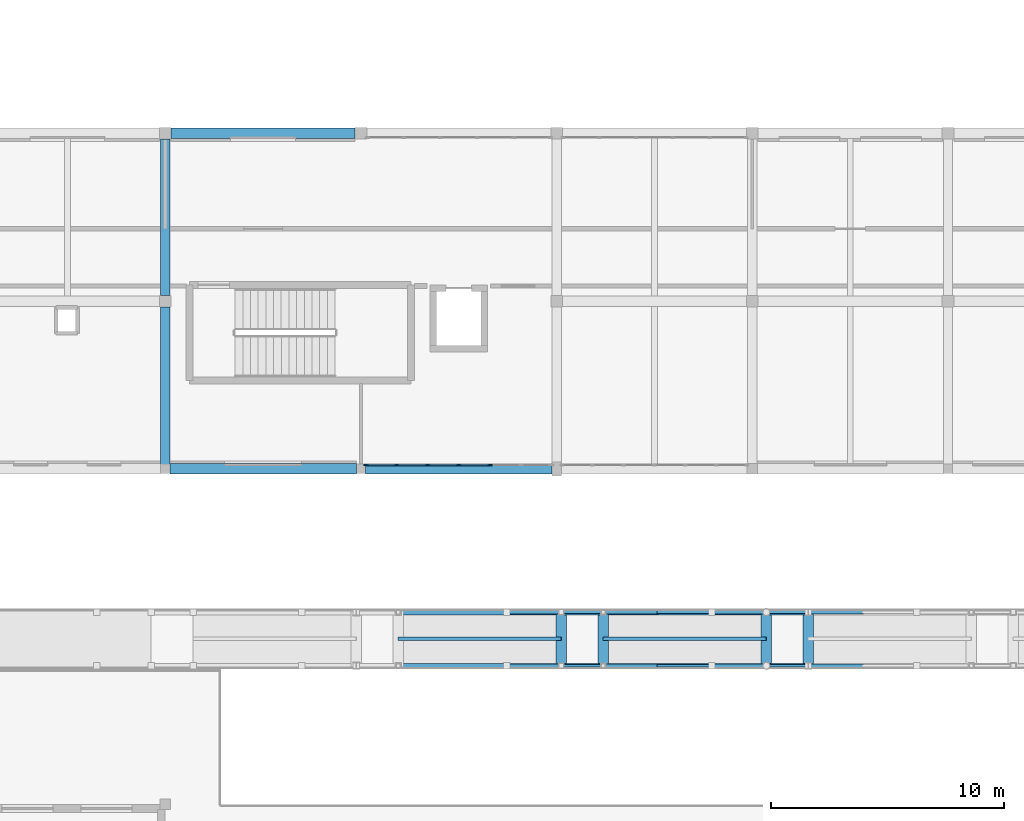
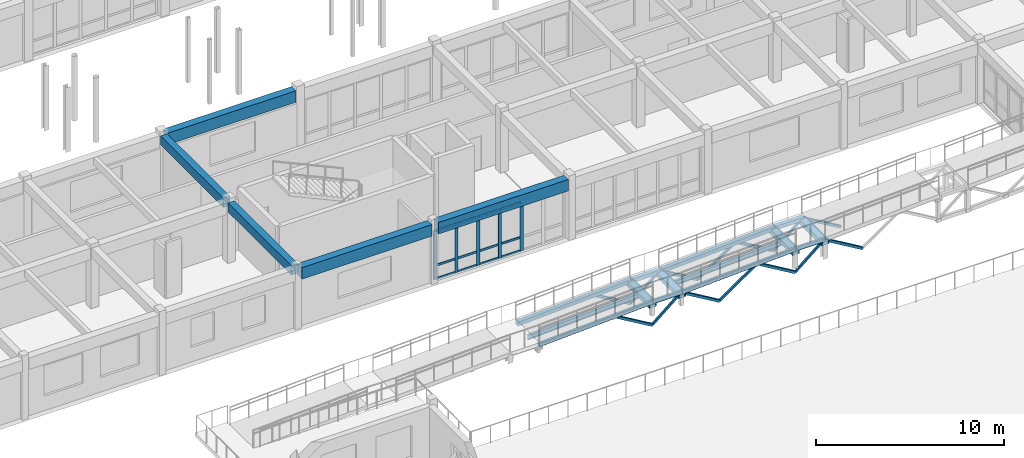
# One storey, part 29 of 90: 39 members, 11 beams, 1 element without a shape of its own.
"""IFC4 building model written with IfcOpenShell, lengths in metres."""

from ifc_helpers import new_model, si_unit, direction, frame, origin, origin_2d, place, context, subcontext, project, spatial, rectangle, hollow_rectangle, i_section, extrude, material, material_profile, profile_set, type_object, element, aggregate, save


model = new_model("IFC4")

# Units and contexts
model_context = context("Model", 3, precision=1e-05, world=origin(), true_north=direction((0.0, 1.0)))
body_context = subcontext(model_context, "Body", "Model", "MODEL_VIEW")
ifc_project = project(units=[si_unit("LENGTHUNIT", "METRE"), si_unit("AREAUNIT", "SQUARE_METRE"), si_unit("VOLUMEUNIT", "CUBIC_METRE"), si_unit("PLANEANGLEUNIT", "RADIAN"), si_unit("MASSUNIT", "GRAM", prefix="KILO")], contexts=[model_context])

# Site, building, storey
site_placement = place(None, origin())
site = spatial("IfcSite", under=ifc_project, at=site_placement, CompositionType="ELEMENT")
building_placement = place(site_placement, origin())
building = spatial("IfcBuilding", under=site, at=building_placement, Name="Malvenik Polytechnic", CompositionType="ELEMENT")
storey_placement = place(building_placement, frame((0.0, 0.0, 9.300048828125)))
storey = spatial("IfcBuildingStorey", under=building, at=storey_placement, Name="L02", CompositionType="ELEMENT", Elevation=9.300048828125)

# Curtain wall, members
ifc_material_1 = material(Name="Anodised aluminium 6060-T6", Category="aluminium")
curtain_wall_type = type_object("IfcCurtainWallType", Name="ARC-CW-CW-03", PredefinedType="NOTDEFINED", material=ifc_material_1)
curtain_wall_placement = place(storey_placement, origin())
curtain_wall = element("IfcCurtainWall", 1, at=curtain_wall_placement, inside=storey, type_object=curtain_wall_type, Name="Unitised Curtain Wall CW-03 L02 #138", PredefinedType="NOTDEFINED")
ifc_material_2 = material(Name="Anodised aluminium", Category="aluminium")
ifc_material_profile_1 = material_profile(ifc_material_2, rectangle(XDim=0.06005859375, YDim=0.199951171875, at=origin_2d()), Name="ALU MULLION 60x200")
ifc_profile_set_1 = profile_set([ifc_material_profile_1], Name="Anodised aluminium")
member_type_1 = type_object("IfcMemberType", Name="ARC-CWM-200", PredefinedType="MULLION", material=ifc_profile_set_1)
member_1_placement = place(storey_placement, frame((47.533935546875, 50.570068359375, 0.0), z_axis=(0.0, 0.0, 1.0), x_axis=(0.0, -1.0, 0.0)))
member_1 = element("IfcMember", 2, at=member_1_placement, type_object=member_type_1, Name="CW-03 mullion 3", PredefinedType="MULLION", context=body_context, shape_type="SweptSolid", body=[
    extrude(rectangle(XDim=0.06005859375, YDim=0.199951171875, at=origin_2d()), origin(), (0.0, 0.0, 1.0), 3.179931640625),
])
member_2_placement = place(storey_placement, frame((46.199951171875, 50.570068359375, 0.0), z_axis=(0.0, 0.0, 1.0), x_axis=(0.0, -1.0, 0.0)))
member_2 = element("IfcMember", 3, at=member_2_placement, type_object=member_type_1, Name="CW-03 mullion 4", PredefinedType="MULLION", context=body_context, shape_type="SweptSolid", body=[
    extrude(rectangle(XDim=0.06005859375, YDim=0.199951171875, at=origin_2d()), origin(), (0.0, 0.0, 1.0), 3.179931640625),
])
member_3_placement = place(storey_placement, frame((44.865966796875, 50.570068359375, 0.0), z_axis=(0.0, 0.0, 1.0), x_axis=(0.0, -1.0, 0.0)))
member_3 = element("IfcMember", 4, at=member_3_placement, type_object=member_type_1, Name="CW-03 mullion 5", PredefinedType="MULLION", context=body_context, shape_type="SweptSolid", body=[
    extrude(rectangle(XDim=0.06005859375, YDim=0.199951171875, at=origin_2d()), origin(), (0.0, 0.0, 1.0), 3.179931640625),
])
member_4_placement = place(storey_placement, frame((43.531982421875, 50.570068359375, 0.0), z_axis=(0.0, 0.0, 1.0), x_axis=(0.0, -1.0, 0.0)))
member_4 = element("IfcMember", 5, at=member_4_placement, type_object=member_type_1, Name="CW-03 mullion 6", PredefinedType="MULLION", context=body_context, shape_type="SweptSolid", body=[
    extrude(rectangle(XDim=0.06005859375, YDim=0.199951171875, at=origin_2d()), origin(), (0.0, 0.0, 1.0), 3.179931640625),
])
member_5_placement = place(storey_placement, frame((42.22802734375, 50.570068359375, 0.0), z_axis=(0.0, 0.0, 1.0), x_axis=(0.0, -1.0, 0.0)))
member_5 = element("IfcMember", 6, at=member_5_placement, type_object=member_type_1, Name="CW-03 mullion 7", PredefinedType="MULLION", context=body_context, shape_type="SweptSolid", body=[
    extrude(rectangle(XDim=0.06005859375, YDim=0.199951171875, at=origin_2d()), origin(), (0.0, 0.0, 1.0), 3.179931640625),
])
ifc_material_profile_2 = material_profile(ifc_material_2, rectangle(XDim=0.06005859375, YDim=0.139892578125, at=origin_2d()), Name="ALU TRANSOM 60x140")
ifc_profile_set_2 = profile_set([ifc_material_profile_2], Name="Anodised aluminium")
member_type_2 = type_object("IfcMemberType", Name="ARC-CWT-140", PredefinedType="USERDEFINED", material=ifc_profile_set_2)
member_6_placement = place(storey_placement, frame((47.50390625, 50.570068359375, 0.030029296875), z_axis=(-1.0, 0.0, 0.0), x_axis=(0.0, -1.0, 0.0)))
member_6 = element("IfcMember", 7, at=member_6_placement, type_object=member_type_2, Name="CW-03 transom 3.1", ObjectType="TRANSOM", PredefinedType="USERDEFINED", context=body_context, shape_type="SweptSolid", body=[
    extrude(rectangle(XDim=0.06005859375, YDim=0.139892578125, at=origin_2d()), origin(), (0.0, 0.0, 1.0), 1.27392578125),
])
member_7_placement = place(storey_placement, frame((47.50390625, 50.570068359375, 0.89990234375), z_axis=(-1.0, 0.0, 0.0), x_axis=(0.0, -1.0, 0.0)))
member_7 = element("IfcMember", 8, at=member_7_placement, type_object=member_type_2, Name="CW-03 transom 3.2", ObjectType="TRANSOM", PredefinedType="USERDEFINED", context=body_context, shape_type="SweptSolid", body=[
    extrude(rectangle(XDim=0.06005859375, YDim=0.139892578125, at=origin_2d()), origin(), (0.0, 0.0, 1.0), 1.27392578125),
])
member_8_placement = place(storey_placement, frame((47.50390625, 50.570068359375, 3.14990234375), z_axis=(-1.0, 0.0, 0.0), x_axis=(0.0, -1.0, 0.0)))
member_8 = element("IfcMember", 9, at=member_8_placement, type_object=member_type_2, Name="CW-03 transom 3.3", ObjectType="TRANSOM", PredefinedType="USERDEFINED", context=body_context, shape_type="SweptSolid", body=[
    extrude(rectangle(XDim=0.06005859375, YDim=0.139892578125, at=origin_2d()), origin(), (0.0, 0.0, 1.0), 1.27392578125),
])
member_9_placement = place(storey_placement, frame((46.169921875, 50.570068359375, 0.030029296875), z_axis=(-1.0, 0.0, 0.0), x_axis=(0.0, -1.0, 0.0)))
member_9 = element("IfcMember", 10, at=member_9_placement, type_object=member_type_2, Name="CW-03 transom 4.1", ObjectType="TRANSOM", PredefinedType="USERDEFINED", context=body_context, shape_type="SweptSolid", body=[
    extrude(rectangle(XDim=0.06005859375, YDim=0.139892578125, at=origin_2d()), origin(), (0.0, 0.0, 1.0), 1.27392578125),
])
member_10_placement = place(storey_placement, frame((46.169921875, 50.570068359375, 0.89990234375), z_axis=(-1.0, 0.0, 0.0), x_axis=(0.0, -1.0, 0.0)))
member_10 = element("IfcMember", 11, at=member_10_placement, type_object=member_type_2, Name="CW-03 transom 4.2", ObjectType="TRANSOM", PredefinedType="USERDEFINED", context=body_context, shape_type="SweptSolid", body=[
    extrude(rectangle(XDim=0.06005859375, YDim=0.139892578125, at=origin_2d()), origin(), (0.0, 0.0, 1.0), 1.27392578125),
])
member_11_placement = place(storey_placement, frame((46.169921875, 50.570068359375, 3.14990234375), z_axis=(-1.0, 0.0, 0.0), x_axis=(0.0, -1.0, 0.0)))
member_11 = element("IfcMember", 12, at=member_11_placement, type_object=member_type_2, Name="CW-03 transom 4.3", ObjectType="TRANSOM", PredefinedType="USERDEFINED", context=body_context, shape_type="SweptSolid", body=[
    extrude(rectangle(XDim=0.06005859375, YDim=0.139892578125, at=origin_2d()), origin(), (0.0, 0.0, 1.0), 1.27392578125),
])
member_12_placement = place(storey_placement, frame((44.8359375, 50.570068359375, 0.030029296875), z_axis=(-1.0, 0.0, 0.0), x_axis=(0.0, -1.0, 0.0)))
member_12 = element("IfcMember", 13, at=member_12_placement, type_object=member_type_2, Name="CW-03 transom 5.1", ObjectType="TRANSOM", PredefinedType="USERDEFINED", context=body_context, shape_type="SweptSolid", body=[
    extrude(rectangle(XDim=0.06005859375, YDim=0.139892578125, at=origin_2d()), origin(), (0.0, 0.0, 1.0), 1.27392578125),
])
member_13_placement = place(storey_placement, frame((44.8359375, 50.570068359375, 0.89990234375), z_axis=(-1.0, 0.0, 0.0), x_axis=(0.0, -1.0, 0.0)))
member_13 = element("IfcMember", 14, at=member_13_placement, type_object=member_type_2, Name="CW-03 transom 5.2", ObjectType="TRANSOM", PredefinedType="USERDEFINED", context=body_context, shape_type="SweptSolid", body=[
    extrude(rectangle(XDim=0.06005859375, YDim=0.139892578125, at=origin_2d()), origin(), (0.0, 0.0, 1.0), 1.27392578125),
])
member_14_placement = place(storey_placement, frame((44.8359375, 50.570068359375, 3.14990234375), z_axis=(-1.0, 0.0, 0.0), x_axis=(0.0, -1.0, 0.0)))
member_14 = element("IfcMember", 15, at=member_14_placement, type_object=member_type_2, Name="CW-03 transom 5.3", ObjectType="TRANSOM", PredefinedType="USERDEFINED", context=body_context, shape_type="SweptSolid", body=[
    extrude(rectangle(XDim=0.06005859375, YDim=0.139892578125, at=origin_2d()), origin(), (0.0, 0.0, 1.0), 1.27392578125),
])
member_15_placement = place(storey_placement, frame((43.501953125, 50.570068359375, 0.030029296875), z_axis=(-1.0, 0.0, 0.0), x_axis=(0.0, -1.0, 0.0)))
member_15 = element("IfcMember", 16, at=member_15_placement, type_object=member_type_2, Name="CW-03 transom 6.1", ObjectType="TRANSOM", PredefinedType="USERDEFINED", context=body_context, shape_type="SweptSolid", body=[
    extrude(rectangle(XDim=0.06005859375, YDim=0.139892578125, at=origin_2d()), origin(), (0.0, 0.0, 1.0), 1.243896484375),
])
member_16_placement = place(storey_placement, frame((43.501953125, 50.570068359375, 0.89990234375), z_axis=(-1.0, 0.0, 0.0), x_axis=(0.0, -1.0, 0.0)))
member_16 = element("IfcMember", 17, at=member_16_placement, type_object=member_type_2, Name="CW-03 transom 6.2", ObjectType="TRANSOM", PredefinedType="USERDEFINED", context=body_context, shape_type="SweptSolid", body=[
    extrude(rectangle(XDim=0.06005859375, YDim=0.139892578125, at=origin_2d()), origin(), (0.0, 0.0, 1.0), 1.243896484375),
])
member_17_placement = place(storey_placement, frame((43.501953125, 50.570068359375, 3.14990234375), z_axis=(-1.0, 0.0, 0.0), x_axis=(0.0, -1.0, 0.0)))
member_17 = element("IfcMember", 18, at=member_17_placement, type_object=member_type_2, Name="CW-03 transom 6.3", ObjectType="TRANSOM", PredefinedType="USERDEFINED", context=body_context, shape_type="SweptSolid", body=[
    extrude(rectangle(XDim=0.06005859375, YDim=0.139892578125, at=origin_2d()), origin(), (0.0, 0.0, 1.0), 1.243896484375),
])
aggregate(curtain_wall, [member_1, member_2, member_3, member_4, member_5, member_6, member_7, member_8, member_9, member_10, member_11, member_12, member_13, member_14, member_15, member_16, member_17])

# Beams
ifc_material_3 = material(Name="Concrete C35/45", Category="concrete")
ifc_material_profile_3 = material_profile(ifc_material_3, rectangle(XDim=0.39990234375, YDim=0.60009765625, at=origin_2d()), Name="RC BM 400x600")
ifc_profile_set_3 = profile_set([ifc_material_profile_3], Name="Concrete C35/45")
beam_type_1 = type_object("IfcBeamType", Name="STR-BM-B-06", PredefinedType="BEAM", material=ifc_profile_set_3)
beam_1_placement = place(storey_placement, frame((33.60009765625, 50.597900390625, 3.639892578125), z_axis=(0.0, 1.0, 0.0), x_axis=(-1.0, 0.0, 0.0)))
element("IfcBeam", 19, at=beam_1_placement, inside=storey, type_object=beam_type_1, Name="Transverse Beam B-06 L02 #1481", PredefinedType="BEAM", context=body_context, shape_type="SweptSolid", body=[
    extrude(rectangle(XDim=0.39990234375, YDim=0.60009765625, at=origin_2d()), origin(), (0.0, 0.0, 1.0), 6.754150390625),
])
beam_2_placement = place(storey_placement, frame((33.60009765625, 57.847900390625, 3.639892578125), z_axis=(0.0, 1.0, 0.0), x_axis=(-1.0, 0.0, 0.0)))
element("IfcBeam", 20, at=beam_2_placement, inside=storey, type_object=beam_type_1, Name="Transverse Beam B-06 L02 #1482", PredefinedType="BEAM", context=body_context, shape_type="SweptSolid", body=[
    extrude(rectangle(XDim=0.39990234375, YDim=0.60009765625, at=origin_2d()), origin(), (0.0, 0.0, 1.0), 6.7041015625),
])
ifc_material_4 = material(Name="Steel S355J2H", Category="steel")
ifc_material_profile_4 = material_profile(ifc_material_4, hollow_rectangle(XDim=0.449951171875, YDim=0.300048828125, WallThickness=0.012451171875, at=origin_2d()), Name="RHS 450x300x12.5")
ifc_profile_set_4 = profile_set([ifc_material_profile_4], Name="Steel S355J2H")
beam_type_2 = type_object("IfcBeamType", Name="STR-BM-SB-07", PredefinedType="BEAM", material=ifc_profile_set_4)
for number, where, z_axis, x_axis, name in (
    (21, (50.60009765625, 41.85009765625, 0.681884765625), (0.0, 1.0, 0.0), (-1.0, 0.0, 0.0), "Ramp Joint Transom RB-01 #5"),
    (22, (52.39990234375, 41.85009765625, 0.681884765625), (0.0, 1.0, 0.0), (-1.0, 0.0, 0.0), "Ramp Joint Transom RB-01 #6"),
    (23, (59.39990234375, 41.85009765625, 1.031982421875), (0.0, 1.0, 0.0), (-1.0, 0.0, 0.0), "Ramp Joint Transom RB-01 #7"),
    (24, (61.199951171875, 41.85009765625, 1.031982421875), (0.0, 1.0, 0.0), (-1.0, 0.0, 0.0), "Ramp Joint Transom RB-01 #8"),
):
    element("IfcBeam", number, at=place(storey_placement, frame(where, z_axis=z_axis, x_axis=x_axis)), inside=storey, type_object=beam_type_2, Name=name, PredefinedType="BEAM", context=body_context, shape_type="SweptSolid", body=[
        extrude(hollow_rectangle(XDim=0.449951171875, YDim=0.300048828125, WallThickness=0.012451171875, at=origin_2d()), origin(), (0.0, 0.0, 1.0), 2.5),
    ])
ifc_material_5 = material(Name="Steel S355", Category="steel")
ifc_material_profile_5 = material_profile(ifc_material_5, i_section(OverallWidth=0.14990234375, OverallDepth=0.300048828125, WebThickness=0.007080078125, FlangeThickness=0.0107421875, FilletRadius=0.014892578125, at=origin_2d()), Name="IPE 300")
ifc_profile_set_5 = profile_set([ifc_material_profile_5], Name="Steel S355")
beam_type_3 = type_object("IfcBeamType", Name="STR-BM-SB-09", PredefinedType="JOIST", material=ifc_profile_set_5)
for number, where, z_axis, x_axis, name in (
    (25, (43.60009765625, 43.10009765625, 0.27490234375), (0.998751643845, 0.0, 0.049951515669), (0.0, 1.0, 0.0), "Ramp Centreline Stringer RB-01 #4"),
    (26, (52.39990234375, 43.10009765625, 0.625), (0.998753381067, 0.0, 0.049916768801), (0.0, 1.0, 0.0), "Ramp Centreline Stringer RB-01 #6"),
):
    element("IfcBeam", number, at=place(storey_placement, frame(where, z_axis=z_axis, x_axis=x_axis)), inside=storey, type_object=beam_type_3, Name=name, PredefinedType="JOIST", context=body_context, shape_type="SweptSolid", body=[
        extrude(i_section(OverallWidth=0.14990234375, OverallDepth=0.300048828125, WebThickness=0.007080078125, FlangeThickness=0.0107421875, FilletRadius=0.014892578125, at=origin_2d()), origin(), (0.0, 0.0, 1.0), 7.0087890625),
    ])
ifc_material_6 = material(Name="Precast concrete C40/50", Category="concrete")
ifc_material_profile_6 = material_profile(ifc_material_6, rectangle(XDim=0.4599609375, YDim=0.75, at=origin_2d()), Name="PC SPN 460x750")
ifc_profile_set_6 = profile_set([ifc_material_profile_6], Name="Precast concrete C40/50")
beam_type_4 = type_object("IfcBeamType", Name="STR-BM-SP-02", PredefinedType="SPANDREL", material=ifc_profile_set_6)
for number, where, z_axis, x_axis, name in (
    (27, (33.798095703125, 50.39990234375, 3.56494140625), (1.0, 0.0, 0.0), (0.0, 1.0, 0.0), "Primary Beam SP-02 L02 #1338"),
    (28, (42.197998046875, 50.39990234375, 3.56494140625), (1.0, 0.0, 0.0), (0.0, 1.0, 0.0), "Primary Beam SP-02 L02 #1339"),
):
    element("IfcBeam", number, at=place(storey_placement, frame(where, z_axis=z_axis, x_axis=x_axis)), inside=storey, type_object=beam_type_4, Name=name, PredefinedType="SPANDREL", context=body_context, shape_type="SweptSolid", body=[
        extrude(rectangle(XDim=0.4599609375, YDim=0.75, at=origin_2d()), origin(), (0.0, 0.0, 1.0), 8.00390625),
    ])
beam_3_placement = place(storey_placement, frame((33.847900390625, 64.800048828125, 3.56494140625), z_axis=(1.0, 0.0, 0.0), x_axis=(0.0, 1.0, 0.0)))
element("IfcBeam", 29, at=beam_3_placement, inside=storey, type_object=beam_type_4, Name="Primary Beam SP-02 L02 #1364", PredefinedType="SPANDREL", context=body_context, shape_type="SweptSolid", body=[
    extrude(rectangle(XDim=0.4599609375, YDim=0.75, at=origin_2d()), origin(), (0.0, 0.0, 1.0), 7.904052734375),
])

# Members
ifc_material_profile_7 = material_profile(ifc_material_4, hollow_rectangle(XDim=0.14990234375, YDim=0.14990234375, WallThickness=0.008056640625, at=origin_2d()), Name="SHS 150x150x8.0")
ifc_profile_set_7 = profile_set([ifc_material_profile_7], Name="Steel S355J2H")
member_type_3 = type_object("IfcMemberType", Name="STR-MEM-TRD-01", PredefinedType="BRACE", material=ifc_profile_set_7)
for number, where, z_axis, x_axis, name in (
    (30, (48.27001953125, 41.949951171875, 0.711181640625), (0.860228478793, 0.0, -0.509908780346), (0.0, 1.0, 0.0), "Space-Frame Tube TRD-01 STR-TRD-03-RB-01-1-04"),
    (31, (52.4033203125, 41.949951171875, 0.827880859375), (0.860228478793, 0.0, -0.509908780346), (0.0, 1.0, 0.0), "Space-Frame Tube TRD-01 STR-TRD-01-RB-01-1-06"),
    (32, (57.070068359375, 41.949951171875, 1.061279296875), (0.860165406805, 0.0, -0.51001516932), (0.0, 1.0, 0.0), "Space-Frame Tube TRD-01 STR-TRD-03-RB-01-1-06"),
    (33, (61.203369140625, 41.949951171875, 1.177978515625), (0.860165406805, 0.0, -0.51001516932), (0.0, 1.0, 0.0), "Space-Frame Tube TRD-01 STR-TRD-01-RB-01-1-08"),
    (34, (48.27001953125, 44.25, 0.711181640625), (0.860228478793, 0.0, -0.509908780346), (0.0, 1.0, 0.0), "Space-Frame Tube TRD-01 STR-TRD-03-RB-01-2-04"),
    (35, (52.4033203125, 44.25, 0.827880859375), (0.860228478793, 0.0, -0.509908780346), (0.0, 1.0, 0.0), "Space-Frame Tube TRD-01 STR-TRD-01-RB-01-2-06"),
    (36, (57.070068359375, 44.25, 1.061279296875), (0.860165406805, 0.0, -0.51001516932), (0.0, 1.0, 0.0), "Space-Frame Tube TRD-01 STR-TRD-03-RB-01-2-06"),
    (37, (61.203369140625, 44.25, 1.177978515625), (0.860165406805, 0.0, -0.51001516932), (0.0, 1.0, 0.0), "Space-Frame Tube TRD-01 STR-TRD-01-RB-01-2-08"),
):
    element("IfcMember", number, at=place(storey_placement, frame(where, z_axis=z_axis, x_axis=x_axis)), inside=storey, type_object=member_type_3, Name=name, PredefinedType="BRACE", context=body_context, shape_type="SweptSolid", body=[
        extrude(hollow_rectangle(XDim=0.14990234375, YDim=0.14990234375, WallThickness=0.008056640625, at=origin_2d()), origin(), (0.0, 0.0, 1.0), 2.70458984375),
    ])
ifc_material_profile_8 = material_profile(ifc_material_4, hollow_rectangle(XDim=0.1201171875, YDim=0.1201171875, WallThickness=0.00634765625, at=origin_2d()), Name="SHS 120x120x6.3")
ifc_profile_set_8 = profile_set([ifc_material_profile_8], Name="Steel S355J2H")
member_type_4 = type_object("IfcMemberType", Name="STR-MEM-TRD-02", PredefinedType="BRACE", material=ifc_profile_set_8)
member_18_placement = place(storey_placement, frame((50.60302734375, 41.949951171875, -0.66748046875), z_axis=(0.768238418778, 0.0, 0.640163832088), x_axis=(0.0, 1.0, 0.0)))
element("IfcMember", 38, at=member_18_placement, inside=storey, type_object=member_type_4, Name="Space-Frame Tube TRD-02 STR-TR-DGL-RB-01-1-05", PredefinedType="BRACE", context=body_context, shape_type="SweptSolid", body=[
    extrude(hollow_rectangle(XDim=0.1201171875, YDim=0.1201171875, WallThickness=0.00634765625, at=origin_2d()), origin(), (0.0, 0.0, 1.0), 2.335205078125),
])
member_19_placement = place(storey_placement, frame((54.736572265625, 41.949951171875, -0.551025390625), z_axis=(0.822005857331, 0.0, 0.569479034305), x_axis=(0.0, 1.0, 0.0)))
element("IfcMember", 39, at=member_19_placement, inside=storey, type_object=member_type_4, Name="Space-Frame Tube TRD-02 STR-TRD-02-RB-01-1-06", PredefinedType="BRACE", context=body_context, shape_type="SweptSolid", body=[
    extrude(hollow_rectangle(XDim=0.1201171875, YDim=0.1201171875, WallThickness=0.00634765625, at=origin_2d()), origin(), (0.0, 0.0, 1.0), 2.830810546875),
])
member_20_placement = place(storey_placement, frame((59.403076171875, 41.949951171875, -0.3173828125), z_axis=(0.768289837605, 0.0, 0.640102121097), x_axis=(0.0, 1.0, 0.0)))
element("IfcMember", 40, at=member_20_placement, inside=storey, type_object=member_type_4, Name="Space-Frame Tube TRD-02 STR-TR-DGL-RB-01-1-07", PredefinedType="BRACE", context=body_context, shape_type="SweptSolid", body=[
    extrude(hollow_rectangle(XDim=0.1201171875, YDim=0.1201171875, WallThickness=0.00634765625, at=origin_2d()), origin(), (0.0, 0.0, 1.0), 2.3349609375),
])
member_21_placement = place(storey_placement, frame((50.60302734375, 44.25, -0.66748046875), z_axis=(0.768238418778, 0.0, 0.640163832088), x_axis=(0.0, 1.0, 0.0)))
element("IfcMember", 41, at=member_21_placement, inside=storey, type_object=member_type_4, Name="Space-Frame Tube TRD-02 STR-TR-DGL-RB-01-2-05", PredefinedType="BRACE", context=body_context, shape_type="SweptSolid", body=[
    extrude(hollow_rectangle(XDim=0.1201171875, YDim=0.1201171875, WallThickness=0.00634765625, at=origin_2d()), origin(), (0.0, 0.0, 1.0), 2.335205078125),
])
member_22_placement = place(storey_placement, frame((54.736572265625, 44.25, -0.551025390625), z_axis=(0.822005857331, 0.0, 0.569479034305), x_axis=(0.0, 1.0, 0.0)))
element("IfcMember", 42, at=member_22_placement, inside=storey, type_object=member_type_4, Name="Space-Frame Tube TRD-02 STR-TRD-02-RB-01-2-06", PredefinedType="BRACE", context=body_context, shape_type="SweptSolid", body=[
    extrude(hollow_rectangle(XDim=0.1201171875, YDim=0.1201171875, WallThickness=0.00634765625, at=origin_2d()), origin(), (0.0, 0.0, 1.0), 2.830810546875),
])
member_23_placement = place(storey_placement, frame((59.403076171875, 44.25, -0.3173828125), z_axis=(0.768289837605, 0.0, 0.640102121097), x_axis=(0.0, 1.0, 0.0)))
element("IfcMember", 43, at=member_23_placement, inside=storey, type_object=member_type_4, Name="Space-Frame Tube TRD-02 STR-TR-DGL-RB-01-2-07", PredefinedType="BRACE", context=body_context, shape_type="SweptSolid", body=[
    extrude(hollow_rectangle(XDim=0.1201171875, YDim=0.1201171875, WallThickness=0.00634765625, at=origin_2d()), origin(), (0.0, 0.0, 1.0), 2.3349609375),
])
ifc_material_profile_9 = material_profile(ifc_material_4, hollow_rectangle(XDim=0.199951171875, YDim=0.199951171875, WallThickness=0.010009765625, at=origin_2d()), Name="SHS 200x200x10.0")
ifc_profile_set_9 = profile_set([ifc_material_profile_9], Name="Steel S355J2H")
member_type_5 = type_object("IfcMemberType", Name="STR-MEM-TRT-01", PredefinedType="CHORD", material=ifc_profile_set_9)
member_24_placement = place(storey_placement, frame((43.60400390625, 41.949951171875, 0.480224609375), z_axis=(0.998752251909, 0.0, 0.049939356288), x_axis=(0.0, 1.0, 0.0)))
element("IfcMember", 44, at=member_24_placement, inside=storey, type_object=member_type_5, Name="Space-Frame Tube TRT-01 STR-TR-TC-RB-01-1-04", PredefinedType="CHORD", context=body_context, shape_type="SweptSolid", body=[
    extrude(hollow_rectangle(XDim=0.199951171875, YDim=0.199951171875, WallThickness=0.010009765625, at=origin_2d()), origin(), (0.0, 0.0, 1.0), 7.000732421875),
])
member_25_placement = place(storey_placement, frame((50.60400390625, 41.949951171875, 0.829833984375), z_axis=(1.0, 0.0, 0.0), x_axis=(0.0, 1.0, 0.0)))
element("IfcMember", 45, at=member_25_placement, inside=storey, type_object=member_type_5, Name="Space-Frame Tube TRT-01 STR-TR-TC-RB-01-1-05", PredefinedType="CHORD", context=body_context, shape_type="SweptSolid", body=[
    extrude(hollow_rectangle(XDim=0.199951171875, YDim=0.199951171875, WallThickness=0.010009765625, at=origin_2d()), origin(), (0.0, 0.0, 1.0), 1.7919921875),
])
member_26_placement = place(storey_placement, frame((52.404052734375, 41.949951171875, 0.830078125), z_axis=(0.998752251909, 0.0, 0.049939356288), x_axis=(0.0, 1.0, 0.0)))
element("IfcMember", 46, at=member_26_placement, inside=storey, type_object=member_type_5, Name="Space-Frame Tube TRT-01 STR-TR-TC-RB-01-1-06", PredefinedType="CHORD", context=body_context, shape_type="SweptSolid", body=[
    extrude(hollow_rectangle(XDim=0.199951171875, YDim=0.199951171875, WallThickness=0.010009765625, at=origin_2d()), origin(), (0.0, 0.0, 1.0), 7.000732421875),
])
member_27_placement = place(storey_placement, frame((59.404052734375, 41.949951171875, 1.179931640625), z_axis=(1.0, 0.0, 0.0), x_axis=(0.0, 1.0, 0.0)))
element("IfcMember", 47, at=member_27_placement, inside=storey, type_object=member_type_5, Name="Space-Frame Tube TRT-01 STR-TR-TC-RB-01-1-07", PredefinedType="CHORD", context=body_context, shape_type="SweptSolid", body=[
    extrude(hollow_rectangle(XDim=0.199951171875, YDim=0.199951171875, WallThickness=0.010009765625, at=origin_2d()), origin(), (0.0, 0.0, 1.0), 1.7919921875),
])
ifc_material_profile_10 = material_profile(ifc_material_4, hollow_rectangle(XDim=0.25, YDim=0.25, WallThickness=0.010009765625, at=origin_2d()), Name="SHS 250x250x10.0")
ifc_profile_set_10 = profile_set([ifc_material_profile_10], Name="Steel S355J2H")
member_type_6 = type_object("IfcMemberType", Name="STR-MEM-TRT-02", PredefinedType="CHORD", material=ifc_profile_set_10)
member_28_placement = place(storey_placement, frame((43.60400390625, 44.25, 0.480224609375), z_axis=(0.998752251909, 0.0, 0.049939356288), x_axis=(0.0, 1.0, 0.0)))
element("IfcMember", 48, at=member_28_placement, inside=storey, type_object=member_type_6, Name="Space-Frame Tube TRT-02 STR-TR-TC-RB-01-2-04", PredefinedType="CHORD", context=body_context, shape_type="SweptSolid", body=[
    extrude(hollow_rectangle(XDim=0.25, YDim=0.25, WallThickness=0.010009765625, at=origin_2d()), origin(), (0.0, 0.0, 1.0), 7.000732421875),
])
member_29_placement = place(storey_placement, frame((50.60400390625, 44.25, 0.829833984375), z_axis=(1.0, 0.0, 0.0), x_axis=(0.0, 1.0, 0.0)))
element("IfcMember", 49, at=member_29_placement, inside=storey, type_object=member_type_6, Name="Space-Frame Tube TRT-02 STR-TR-TC-RB-01-2-05", PredefinedType="CHORD", context=body_context, shape_type="SweptSolid", body=[
    extrude(hollow_rectangle(XDim=0.25, YDim=0.25, WallThickness=0.010009765625, at=origin_2d()), origin(), (0.0, 0.0, 1.0), 1.7919921875),
])
member_30_placement = place(storey_placement, frame((52.404052734375, 44.25, 0.830078125), z_axis=(0.998752251909, 0.0, 0.049939356288), x_axis=(0.0, 1.0, 0.0)))
element("IfcMember", 50, at=member_30_placement, inside=storey, type_object=member_type_6, Name="Space-Frame Tube TRT-02 STR-TR-TC-RB-01-2-06", PredefinedType="CHORD", context=body_context, shape_type="SweptSolid", body=[
    extrude(hollow_rectangle(XDim=0.25, YDim=0.25, WallThickness=0.010009765625, at=origin_2d()), origin(), (0.0, 0.0, 1.0), 7.000732421875),
])
member_31_placement = place(storey_placement, frame((59.404052734375, 44.25, 1.179931640625), z_axis=(1.0, 0.0, 0.0), x_axis=(0.0, 1.0, 0.0)))
element("IfcMember", 51, at=member_31_placement, inside=storey, type_object=member_type_6, Name="Space-Frame Tube TRT-02 STR-TR-TC-RB-01-2-07", PredefinedType="CHORD", context=body_context, shape_type="SweptSolid", body=[
    extrude(hollow_rectangle(XDim=0.25, YDim=0.25, WallThickness=0.010009765625, at=origin_2d()), origin(), (0.0, 0.0, 1.0), 1.7919921875),
])

save(model, "model.ifc")
